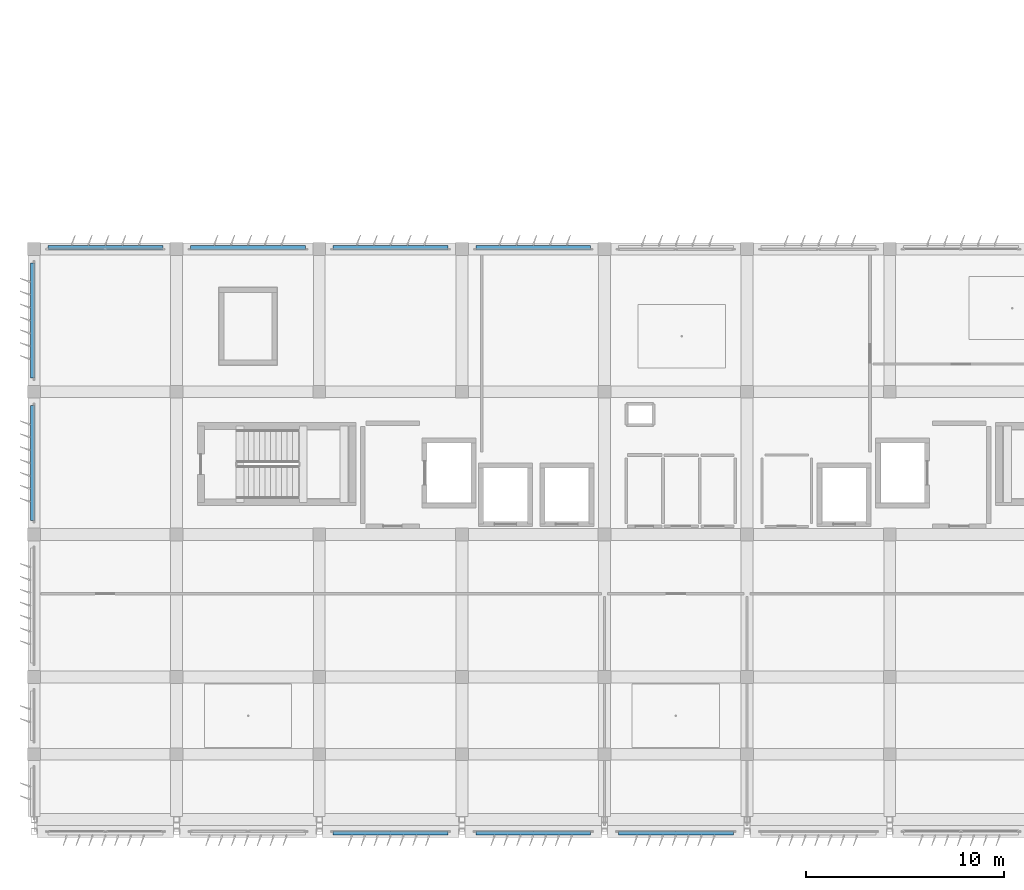
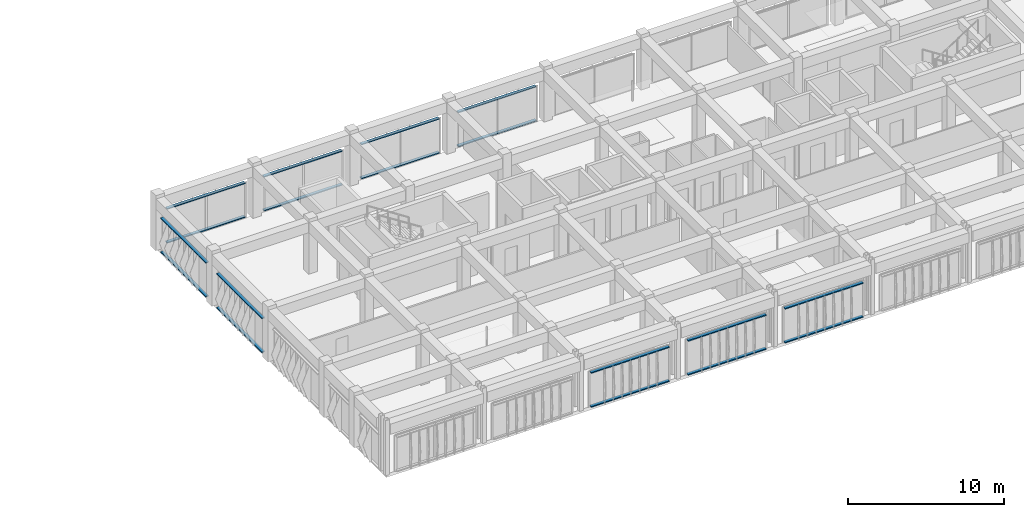
# One storey, part 38 of 53: 18 discrete accessories.
"""IFC4 building model written with IfcOpenShell, lengths in metres."""

from ifc_helpers import new_model, si_unit, direction, frame, origin, origin_2d, place, context, subcontext, project, spatial, rectangle, extrude, material, type_object, element, save


model = new_model("IFC4")

# Units and contexts
model_context = context("Model", 3, precision=1e-05, world=origin(), true_north=direction((0.0, 1.0)))
body_context = subcontext(model_context, "Body", "Model", "MODEL_VIEW")
ifc_project = project(units=[si_unit("LENGTHUNIT", "METRE"), si_unit("AREAUNIT", "SQUARE_METRE"), si_unit("VOLUMEUNIT", "CUBIC_METRE"), si_unit("PLANEANGLEUNIT", "RADIAN"), si_unit("MASSUNIT", "GRAM", prefix="KILO")], contexts=[model_context])

# Site, building, storey
site_placement = place(None, origin())
site = spatial("IfcSite", under=ifc_project, at=site_placement, CompositionType="ELEMENT")
building_placement = place(site_placement, origin())
building = spatial("IfcBuilding", under=site, at=building_placement, Name="Kazehaya Institute of Natural Sciences", CompositionType="ELEMENT")
storey_placement = place(building_placement, frame((0.0, 0.0, 33.300048828125)))
storey = spatial("IfcBuildingStorey", under=building, at=storey_placement, Name="L07", CompositionType="ELEMENT", Elevation=33.300048828125)

# Discrete accessories
ifc_material = material(Name="Aluminium alloy A6063S-T5", Category="aluminium")
discrete_accessory_type = type_object("IfcDiscreteAccessoryType", Name="ACC-BRK-01", PredefinedType="BRACKET", material=ifc_material)
for number, where, z_axis, x_axis, name in (
    (1, (87.0, 6.125, 0.039794921875), (0.0, 0.0, 1.0), (-1.0, 0.0, 0.0), "L07 fin support outrigger rail 1"),
    (2, (87.0, 6.125, 2.699951171875), (0.0, 0.0, 1.0), (-1.0, 0.0, 0.0), "L07 fin support outrigger rail 2"),
    (3, (79.800048828125, 6.125, 0.039794921875), (0.0, 0.0, 1.0), (-1.0, 0.0, 0.0), "L07 fin support outrigger rail 1"),
    (4, (79.800048828125, 6.125, 2.699951171875), (0.0, 0.0, 1.0), (-1.0, 0.0, 0.0), "L07 fin support outrigger rail 2"),
    (5, (72.60009765625, 6.125, 0.039794921875), (0.0, 0.0, 1.0), (-1.0, 0.0, 0.0), "L07 fin support outrigger rail 1"),
    (6, (72.60009765625, 6.125, 2.699951171875), (0.0, 0.0, 1.0), (-1.0, 0.0, 0.0), "L07 fin support outrigger rail 2"),
    (7, (58.199951171875, 35.675048828125, 0.039794921875), (0.0, 0.0, 1.0), (1.0, 0.0, 0.0), "L07 fin support outrigger rail 1"),
    (8, (58.199951171875, 35.675048828125, 2.699951171875), (0.0, 0.0, 1.0), (1.0, 0.0, 0.0), "L07 fin support outrigger rail 2"),
    (9, (65.39990234375, 35.675048828125, 0.039794921875), (0.0, 0.0, 1.0), (1.0, 0.0, 0.0), "L07 fin support outrigger rail 1"),
    (10, (65.39990234375, 35.675048828125, 2.699951171875), (0.0, 0.0, 1.0), (1.0, 0.0, 0.0), "L07 fin support outrigger rail 2"),
    (11, (72.60009765625, 35.675048828125, 0.039794921875), (0.0, 0.0, 1.0), (1.0, 0.0, 0.0), "L07 fin support outrigger rail 1"),
    (12, (72.60009765625, 35.675048828125, 2.699951171875), (0.0, 0.0, 1.0), (1.0, 0.0, 0.0), "L07 fin support outrigger rail 2"),
    (13, (79.800048828125, 35.675048828125, 0.039794921875), (0.0, 0.0, 1.0), (1.0, 0.0, 0.0), "L07 fin support outrigger rail 1"),
    (14, (79.800048828125, 35.675048828125, 2.699951171875), (0.0, 0.0, 1.0), (1.0, 0.0, 0.0), "L07 fin support outrigger rail 2"),
    (15, (54.52490234375, 24.800048828125, 0.039794921875), (0.0, 0.0, 1.0), (0.0, 1.0, 0.0), "L07 fin support outrigger rail 1"),
    (16, (54.52490234375, 24.800048828125, 2.699951171875), (0.0, 0.0, 1.0), (0.0, 1.0, 0.0), "L07 fin support outrigger rail 2"),
    (17, (54.52490234375, 32.0, 0.039794921875), (0.0, 0.0, 1.0), (0.0, 1.0, 0.0), "L07 fin support outrigger rail 1"),
    (18, (54.52490234375, 32.0, 2.699951171875), (0.0, 0.0, 1.0), (0.0, 1.0, 0.0), "L07 fin support outrigger rail 2"),
):
    element("IfcDiscreteAccessory", number, at=place(storey_placement, frame(where, z_axis=z_axis, x_axis=x_axis)), inside=storey, type_object=discrete_accessory_type, Name=name, PredefinedType="BRACKET", context=body_context, shape_type="SweptSolid", body=[
        extrude(rectangle(XDim=5.800048828125, YDim=0.219970703125, at=origin_2d()), origin(), (0.0, 0.0, 1.0), 0.080078125),
    ])

save(model, "model.ifc")
